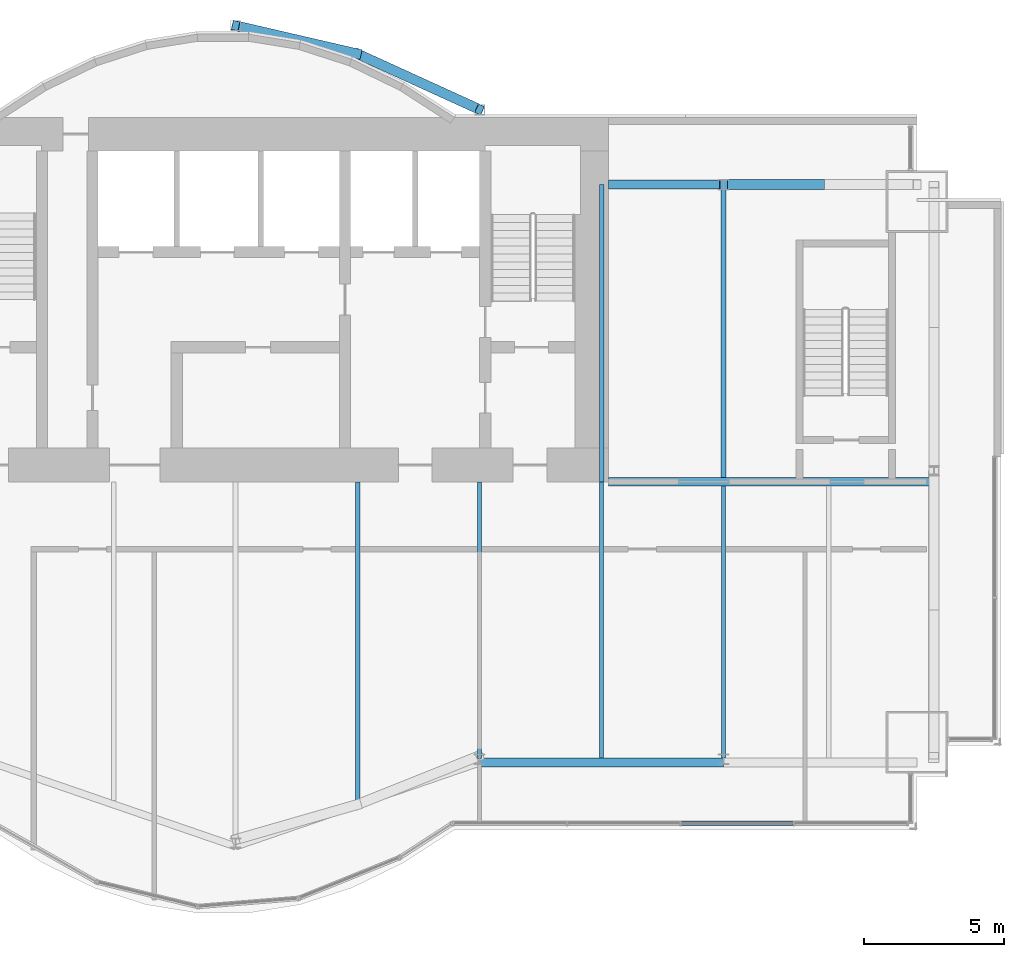
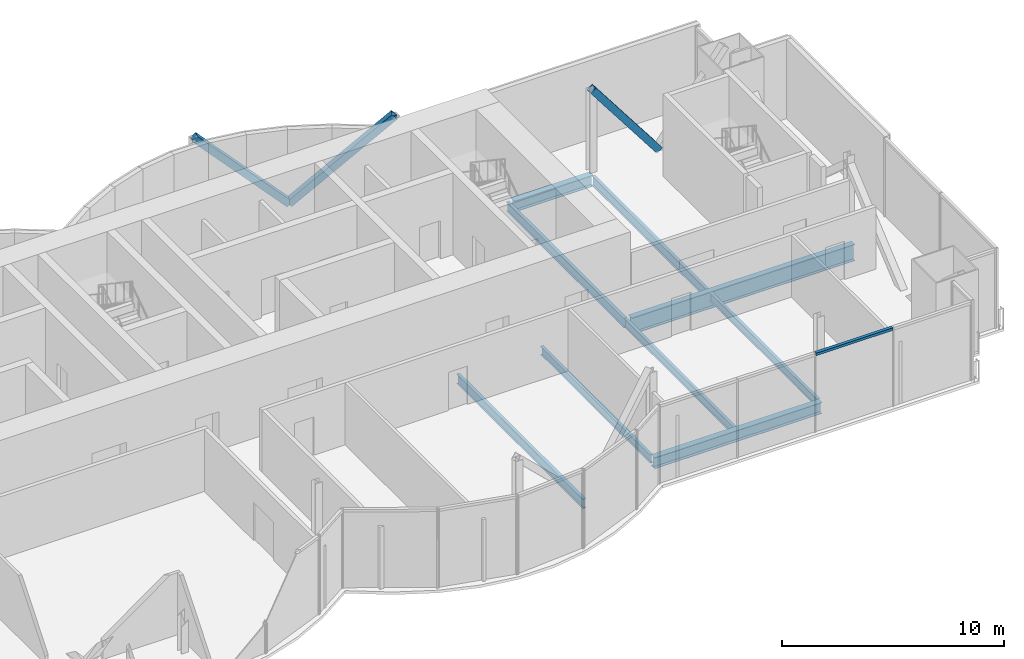
# One storey, part 7 of 16: 9 beams, 4 members, 1 element without a shape of its own.
"""IFC4 building model written with IfcOpenShell, lengths in metres."""

from ifc_helpers import new_model, si_unit, direction, frame, origin, origin_2d, place, context, subcontext, project, spatial, rectangle, hollow_rectangle, i_section, extrude, material, material_profile, profile_set, type_object, element, aggregate, save


model = new_model("IFC4")

# Units and contexts
model_context = context("Model", 3, precision=1e-05, world=origin(), true_north=direction((0.0, 1.0)))
body_context = subcontext(model_context, "Body", "Model", "MODEL_VIEW")
ifc_project = project(units=[si_unit("LENGTHUNIT", "METRE"), si_unit("AREAUNIT", "SQUARE_METRE"), si_unit("VOLUMEUNIT", "CUBIC_METRE"), si_unit("PLANEANGLEUNIT", "RADIAN"), si_unit("MASSUNIT", "GRAM", prefix="KILO")], contexts=[model_context])

# Site, building, storey
site_placement = place(None, origin())
site = spatial("IfcSite", under=ifc_project, at=site_placement, CompositionType="ELEMENT")
building_placement = place(site_placement, origin())
building = spatial("IfcBuilding", under=site, at=building_placement, Name="Bicima Exchange Tower", CompositionType="ELEMENT")
storey_placement = place(building_placement, frame((0.0, 0.0, 329.0)))
storey = spatial("IfcBuildingStorey", under=building, at=storey_placement, Name="L74", CompositionType="ELEMENT", Elevation=329.0)

# Beams
ifc_material_1 = material(Name="Steel ASTM A992 Gr 50", Category="steel")
ifc_material_profile_1 = material_profile(ifc_material_1, i_section(OverallWidth=0.3046875, OverallDepth=0.911865234375, WebThickness=0.015869140625, FlangeThickness=0.02392578125, at=origin_2d()))
ifc_profile_set_1 = profile_set([ifc_material_profile_1], Name="Steel ASTM A992 Gr 50")
beam_type_1 = type_object("IfcBeamType", Name="Core-line girder W36x150", PredefinedType="BEAM", material=ifc_profile_set_1)
beam_1_placement = place(storey_placement, frame((22.0, -13.0, -0.60595703125), z_axis=(1.0, 0.0, 0.0), x_axis=(0.0, 1.0, 0.0)))
element("IfcBeam", 1, at=beam_1_placement, inside=storey, type_object=beam_type_1, Name="Core-line girder", PredefinedType="BEAM", context=body_context, shape_type="SweptSolid", body=[
    extrude(i_section(OverallWidth=0.3046875, OverallDepth=0.911865234375, WebThickness=0.015869140625, FlangeThickness=0.02392578125, at=origin_2d()), origin(), (0.0, 0.0, 1.0), 11.60009765625),
])
ifc_material_profile_2 = material_profile(ifc_material_1, i_section(OverallWidth=0.15283203125, OverallDepth=0.45458984375, WebThickness=0.008056640625, FlangeThickness=0.013427734375, at=origin_2d()))
ifc_profile_set_2 = profile_set([ifc_material_profile_2], Name="Steel ASTM A992 Gr 50")
beam_type_2 = type_object("IfcBeamType", Name="Floor beam W18x40", PredefinedType="JOIST", material=ifc_profile_set_2)
beam_2_placement = place(storey_placement, frame((17.39990234375, -13.0, -0.377197265625), z_axis=(0.0, -1.0, 0.0), x_axis=(1.0, 0.0, 0.0)))
element("IfcBeam", 2, at=beam_2_placement, inside=storey, type_object=beam_type_2, Name="Floor beam", PredefinedType="JOIST", context=body_context, shape_type="SweptSolid", body=[
    extrude(i_section(OverallWidth=0.15283203125, OverallDepth=0.45458984375, WebThickness=0.008056640625, FlangeThickness=0.013427734375, at=origin_2d()), origin(), (0.0, 0.0, 1.0), 9.872314453125),
])
beam_3_placement = place(storey_placement, frame((21.75, -13.0, -0.377197265625), z_axis=(0.0, -1.0, 0.0), x_axis=(1.0, 0.0, 0.0)))
element("IfcBeam", 3, at=beam_3_placement, inside=storey, type_object=beam_type_2, Name="Floor beam", PredefinedType="JOIST", context=body_context, shape_type="SweptSolid", body=[
    extrude(i_section(OverallWidth=0.15283203125, OverallDepth=0.45458984375, WebThickness=0.008056640625, FlangeThickness=0.013427734375, at=origin_2d()), origin(), (0.0, 0.0, 1.0), 9.845458984375),
])
beam_4_placement = place(storey_placement, frame((26.10009765625, -13.15234375, -0.377197265625), z_axis=(0.0, -1.0, 0.0), x_axis=(1.0, 0.0, 0.0)))
element("IfcBeam", 4, at=beam_4_placement, inside=storey, type_object=beam_type_2, Name="Floor beam", PredefinedType="JOIST", context=body_context, shape_type="SweptSolid", body=[
    extrude(i_section(OverallWidth=0.15283203125, OverallDepth=0.45458984375, WebThickness=0.008056640625, FlangeThickness=0.013427734375, at=origin_2d()), origin(), (0.0, 0.0, 1.0), 9.693115234375),
])
ifc_material_profile_3 = material_profile(ifc_material_1, i_section(OverallWidth=0.165771484375, OverallDepth=0.5283203125, WebThickness=0.009765625, FlangeThickness=0.013671875, at=origin_2d()))
ifc_profile_set_3 = profile_set([ifc_material_profile_3], Name="Steel ASTM A992 Gr 50")
beam_type_3 = type_object("IfcBeamType", Name="Floor beam W21x50", PredefinedType="JOIST", material=ifc_profile_set_3)
beam_5_placement = place(storey_placement, frame((13.050048828125, -13.0, -0.414306640625), z_axis=(0.0, -1.0, 0.0), x_axis=(1.0, 0.0, 0.0)))
element("IfcBeam", 5, at=beam_5_placement, inside=storey, type_object=beam_type_3, Name="Floor beam", PredefinedType="JOIST", context=body_context, shape_type="SweptSolid", body=[
    extrude(i_section(OverallWidth=0.165771484375, OverallDepth=0.5283203125, WebThickness=0.009765625, FlangeThickness=0.013671875, at=origin_2d()), origin(), (0.0, 0.0, 1.0), 11.367919921875),
])
beam_6_placement = place(storey_placement, frame((21.75, -2.39990234375, -0.414306640625), z_axis=(0.0, -1.0, 0.0), x_axis=(1.0, 0.0, 0.0)))
element("IfcBeam", 6, at=beam_6_placement, inside=storey, type_object=beam_type_3, Name="Floor beam", PredefinedType="JOIST", context=body_context, shape_type="SweptSolid", body=[
    extrude(i_section(OverallWidth=0.165771484375, OverallDepth=0.5283203125, WebThickness=0.009765625, FlangeThickness=0.013671875, at=origin_2d()), origin(), (0.0, 0.0, 1.0), 10.60009765625),
])
beam_7_placement = place(storey_placement, frame((26.10009765625, -2.5625, -0.414306640625), z_axis=(0.0, -1.0, 0.0), x_axis=(1.0, 0.0, 0.0)))
element("IfcBeam", 7, at=beam_7_placement, inside=storey, type_object=beam_type_3, Name="Floor beam", PredefinedType="JOIST", context=body_context, shape_type="SweptSolid", body=[
    extrude(i_section(OverallWidth=0.165771484375, OverallDepth=0.5283203125, WebThickness=0.009765625, FlangeThickness=0.013671875, at=origin_2d()), origin(), (0.0, 0.0, 1.0), 10.28515625),
])
ifc_material_profile_4 = material_profile(ifc_material_1, i_section(OverallWidth=0.3251953125, OverallDepth=0.612060546875, WebThickness=0.0126953125, FlangeThickness=0.01904296875, at=origin_2d()))
ifc_profile_set_4 = profile_set([ifc_material_profile_4], Name="Steel ASTM A992 Gr 50")
beam_type_4 = type_object("IfcBeamType", Name="Front girder W24x104", PredefinedType="BEAM", material=ifc_profile_set_4)
beam_8_placement = place(storey_placement, frame((17.39990234375, -23.008056640625, -0.4560546875), z_axis=(1.0, 0.0, 0.0), x_axis=(0.0, 1.0, 0.0)))
element("IfcBeam", 8, at=beam_8_placement, inside=storey, type_object=beam_type_4, Name="Front girder", PredefinedType="BEAM", context=body_context, shape_type="SweptSolid", body=[
    extrude(i_section(OverallWidth=0.3251953125, OverallDepth=0.612060546875, WebThickness=0.0126953125, FlangeThickness=0.01904296875, at=origin_2d()), origin(), (0.0, 0.0, 1.0), 8.7001953125),
])

# Curtain wall, member
ifc_material_2 = material(Name="Anodised bronze aluminium", Category="aluminium")
curtain_wall_type = type_object("IfcCurtainWallType", Name="Front glass wall", PredefinedType="NOTDEFINED", material=ifc_material_2)
curtain_wall_placement = place(storey_placement, origin())
curtain_wall = element("IfcCurtainWall", 9, at=curtain_wall_placement, inside=storey, type_object=curtain_wall_type, Name="Front glass wall L74 run 16", PredefinedType="NOTDEFINED")
ifc_material_profile_5 = material_profile(ifc_material_2, rectangle(XDim=0.159912109375, YDim=0.139892578125, at=origin_2d()))
ifc_profile_set_5 = profile_set([ifc_material_profile_5], Name="Anodised bronze aluminium")
member_type_1 = type_object("IfcMemberType", Name="Front glass wall transom 140 x 160", PredefinedType="USERDEFINED", material=ifc_profile_set_5)
member_1_placement = place(storey_placement, frame((24.591064453125, -25.177978515625, 4.280029296875), z_axis=(1.0, 0.0, 0.0), x_axis=(0.0, 1.0, 0.0)))
member_1 = element("IfcMember", 10, at=member_1_placement, type_object=member_type_1, Name="Front glass wall transom 3.1", ObjectType="TRANSOM", PredefinedType="USERDEFINED", context=body_context, shape_type="SweptSolid", body=[
    extrude(rectangle(XDim=0.159912109375, YDim=0.139892578125, at=origin_2d()), origin(), (0.0, 0.0, 1.0), 3.989501953125),
])
aggregate(curtain_wall, [member_1])

# Members
ifc_material_3 = material(Name="Steel ASTM A572 Gr 50", Category="steel")
ifc_material_profile_6 = material_profile(ifc_material_3, hollow_rectangle(XDim=0.355712890625, YDim=0.355712890625, WallThickness=0.01171875, at=origin_2d()))
ifc_profile_set_6 = profile_set([ifc_material_profile_6], Name="Steel ASTM A572 Gr 50")
member_type_2 = type_object("IfcMemberType", Name="Mega brace HSS14x14x1/2", PredefinedType="BRACE", material=ifc_profile_set_6)
member_2_placement = place(storey_placement, frame((13.050048828125, 2.262451171875, 0.0), z_axis=(0.662507516739, -0.302231638101, 0.685375683254), x_axis=(0.415045223819, 0.909800781592, 0.0)))
element("IfcMember", 11, at=member_2_placement, inside=storey, type_object=member_type_2, Name="Mega brace rexo", PredefinedType="BRACE", context=body_context, shape_type="SweptSolid", body=[
    extrude(hollow_rectangle(XDim=0.355712890625, YDim=0.355712890625, WallThickness=0.01171875, at=origin_2d()), origin(), (0.0, 0.0, 1.0), 6.565673828125),
])
member_3_placement = place(storey_placement, frame((13.050048828125, 2.262451171875, 0.0), z_axis=(-0.686212303743, 0.158786245837, 0.709858860848), x_axis=(-0.225438503722, -0.974257399787, 0.0)))
element("IfcMember", 12, at=member_3_placement, inside=storey, type_object=member_type_2, Name="Mega brace rexo", PredefinedType="BRACE", context=body_context, shape_type="SweptSolid", body=[
    extrude(hollow_rectangle(XDim=0.355712890625, YDim=0.355712890625, WallThickness=0.01171875, at=origin_2d()), origin(), (0.0, 0.0, 1.0), 6.33935546875),
])
member_4_placement = place(storey_placement, frame((29.550048828125, -2.39990234375, 0.0), z_axis=(-0.608426120198, 0.0, 0.793610519248), x_axis=(0.0, -1.0, 0.0)))
element("IfcMember", 13, at=member_4_placement, inside=storey, type_object=member_type_2, Name="Mega brace rear", PredefinedType="BRACE", context=body_context, shape_type="SweptSolid", body=[
    extrude(hollow_rectangle(XDim=0.355712890625, YDim=0.355712890625, WallThickness=0.01171875, at=origin_2d()), origin(), (0.0, 0.0, 1.0), 5.670166015625),
])

# Beam
beam_type_5 = type_object("IfcBeamType", Name="Rear girder W24x104", PredefinedType="BEAM", material=ifc_profile_set_4)
beam_9_placement = place(storey_placement, frame((22.0, -2.39990234375, -0.4560546875), z_axis=(1.0, 0.0, 0.0), x_axis=(0.0, 1.0, 0.0)))
element("IfcBeam", 14, at=beam_9_placement, inside=storey, type_object=beam_type_5, Name="Rear girder", PredefinedType="BEAM", context=body_context, shape_type="SweptSolid", body=[
    extrude(i_section(OverallWidth=0.3251953125, OverallDepth=0.612060546875, WebThickness=0.0126953125, FlangeThickness=0.01904296875, at=origin_2d()), origin(), (0.0, 0.0, 1.0), 4.10009765625),
])

save(model, "model.ifc")
